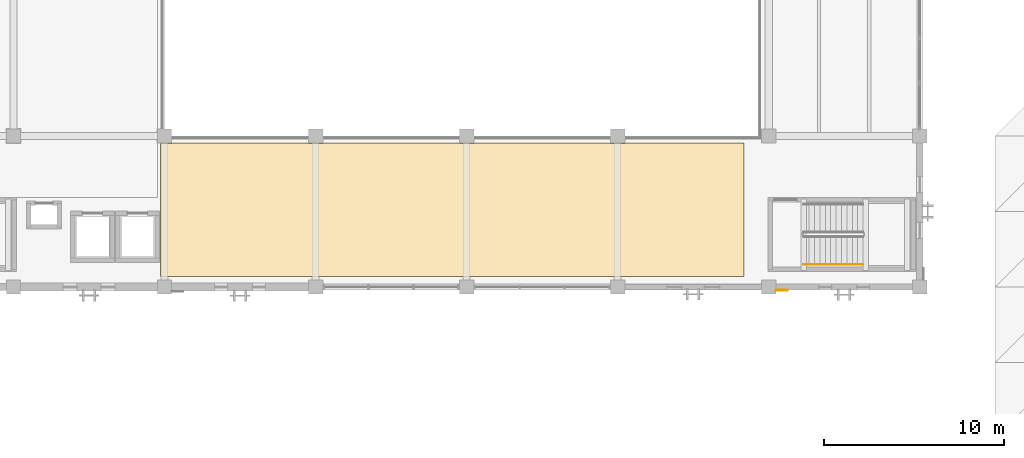
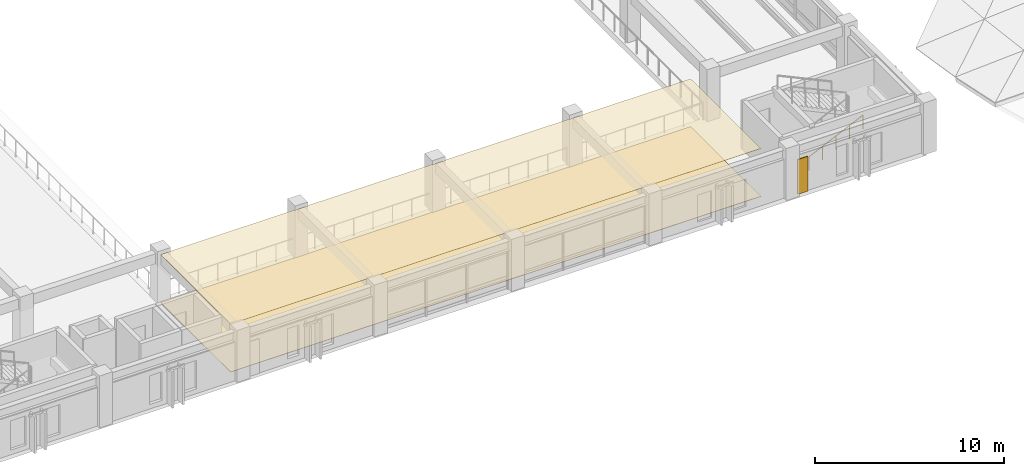
# One storey, part 103 of 123: 3 coverings, 1 railing.
"""IFC4 building model written with IfcOpenShell, lengths in metres."""

from ifc_helpers import new_model, si_unit, direction, frame, origin, origin_2d, place, context, subcontext, project, spatial, polyline, circle, outline, extrude, material, layer, layer_set, type_object, element, save


model = new_model("IFC4")

# Units and contexts
model_context = context("Model", 3, precision=1e-05, world=origin(), true_north=direction((0.0, 1.0)))
body_context = subcontext(model_context, "Body", "Model", "MODEL_VIEW")
ifc_project = project(units=[si_unit("LENGTHUNIT", "METRE"), si_unit("AREAUNIT", "SQUARE_METRE"), si_unit("VOLUMEUNIT", "CUBIC_METRE"), si_unit("PLANEANGLEUNIT", "RADIAN"), si_unit("MASSUNIT", "GRAM", prefix="KILO")], contexts=[model_context])

# Site, building, storey
site_placement = place(None, origin())
site = spatial("IfcSite", under=ifc_project, at=site_placement, CompositionType="ELEMENT")
building_placement = place(site_placement, origin())
building = spatial("IfcBuilding", under=site, at=building_placement, Name="Cumbredor Promenade Congress Hotel", CompositionType="ELEMENT")
storey_placement = place(building_placement, frame((0.0, 0.0, 11.760009765625)))
storey = spatial("IfcBuildingStorey", under=building, at=storey_placement, Name="L03", CompositionType="ELEMENT", Elevation=11.760009765625)

# Coverings
ifc_material_1 = material(Name="Acoustic mineral-fiber and gypsum ceiling")
ifc_layer_1 = layer(ifc_material_1, 0.02197265625, Name="Acoustic mineral-fiber and gypsum ceiling")
ifc_layer_set_1 = layer_set([ifc_layer_1], Name="Acoustic mineral-fiber and gypsum ceiling")
covering_type_1 = type_object("IfcCoveringType", Name="Acoustic Perforated Gypsum Ceiling CLG-02 22mm", PredefinedType="CEILING", material=ifc_layer_set_1)
covering_1_placement = place(storey_placement, frame((0.0, 0.0, 3.097900390625)))
element("IfcCovering", 1, at=covering_1_placement, inside=storey, type_object=covering_type_1, Name="L03 Plenary South Concourse Corridor Acoustic Ceiling", PredefinedType="CEILING", context=body_context, shape_type="SweptSolid", body=[
    extrude(outline(polyline([(25.60498046875, 16.39501953125), (25.60498046875, 16.419921875), (33.195068359375, 16.419921875), (33.195068359375, 16.39501953125), (34.0048828125, 16.39501953125), (34.0048828125, 16.419921875), (41.594970703125, 16.419921875), (41.594970703125, 16.39501953125), (42.405029296875, 16.39501953125), (42.405029296875, 16.419921875), (49.9951171875, 16.419921875), (49.9951171875, 16.39501953125), (50.804931640625, 16.39501953125), (50.804931640625, 16.419921875), (57.419921875, 16.419921875), (57.419921875, 8.97998046875), (24.97998046875, 8.97998046875), (24.97998046875, 16.39501953125), (25.60498046875, 16.39501953125)])), origin(), (0.0, 0.0, 1.0), 0.02197265625),
])
ifc_material_2 = material(Name="Precast concrete C40/50", Category="concrete")
ifc_layer_2 = layer(ifc_material_2, 0.044921875, Name="Precast concrete C40/50", Category="concrete")
ifc_layer_set_2 = layer_set([ifc_layer_2], Name="Precast concrete C40/50")
covering_type_2 = type_object("IfcCoveringType", Name="Board-Formed Architectural Cladding Panel 45mm", PredefinedType="CLADDING", material=ifc_layer_set_2)
covering_2_placement = place(storey_placement, origin())
element("IfcCovering", 2, at=covering_2_placement, inside=storey, type_object=covering_type_2, Name="L03 Facade Stone Cladding Pier 134", PredefinedType="CLADDING", context=body_context, shape_type="SweptSolid", body=[
    extrude(outline(polyline([(59.200927734375, 8.237548828125), (59.85107421875, 8.237548828125), (59.85107421875, 8.1923828125), (59.200927734375, 8.1923828125), (59.200927734375, 8.237548828125)])), origin(), (0.0, 0.0, 1.0), 2.25),
])
ifc_material_3 = material(Name="Porcelain stoneware tile", Category="masonry")
ifc_layer_3 = layer(ifc_material_3, 0.02490234375, Name="Porcelain stoneware tile", Category="masonry")
ifc_layer_set_3 = layer_set([ifc_layer_3], Name="Porcelain stoneware tile")
covering_type_3 = type_object("IfcCoveringType", Name="Porcelain Stoneware Flooring FLR-02 25mm", PredefinedType="FLOORING", material=ifc_layer_set_3)
covering_3_placement = place(storey_placement, origin())
element("IfcCovering", 3, at=covering_3_placement, inside=storey, type_object=covering_type_3, Name="L03 Plenary South Concourse Corridor Porcelain Flooring", PredefinedType="FLOORING", context=body_context, shape_type="SweptSolid", body=[
    extrude(outline(polyline([(25.60498046875, 16.39501953125), (25.60498046875, 16.419921875), (33.195068359375, 16.419921875), (33.195068359375, 16.39501953125), (34.0048828125, 16.39501953125), (34.0048828125, 16.419921875), (41.594970703125, 16.419921875), (41.594970703125, 16.39501953125), (42.405029296875, 16.39501953125), (42.405029296875, 16.419921875), (49.9951171875, 16.419921875), (49.9951171875, 16.39501953125), (50.804931640625, 16.39501953125), (50.804931640625, 16.419921875), (57.419921875, 16.419921875), (57.419921875, 8.97998046875), (24.97998046875, 8.97998046875), (24.97998046875, 16.39501953125), (25.60498046875, 16.39501953125)])), origin(), (0.0, 0.0, 1.0), 0.02490234375),
])

# Railing
ifc_material_4 = material(Name="Brushed stainless steel", Category="steel")
railing_type = type_object("IfcRailingType", Name="Stair Pitch Handrail HR-900", PredefinedType="HANDRAIL", material=ifc_material_4)
railing_placement = place(storey_placement, frame((60.75, 9.64990234375, 0.139892578125)))
element("IfcRailing", 4, at=railing_placement, inside=storey, type_object=railing_type, Name="L03 ST-05 stair handrail 1", PredefinedType="HANDRAIL", context=body_context, shape_type="SweptSolid", body=[
    extrude(circle(Radius=0.02392578125, at=origin_2d()), frame((0.0, 0.0, 0.8759765625), z_axis=(0.906181427284, 0.0, 0.422889135408), x_axis=(0.0, 1.0, 0.0)), (0.0, 0.0, 1.0), 3.6416015625),
    extrude(circle(Radius=0.02099609375, at=origin_2d()), origin(), (0.0, 0.0, 1.0), 0.851806640625),
    extrude(circle(Radius=0.02099609375, at=origin_2d()), frame((0.824951171875, 0.0, 0.385009765625)), (0.0, 0.0, 1.0), 0.851806640625),
    extrude(circle(Radius=0.02099609375, at=origin_2d()), frame((1.64990234375, 0.0, 0.77001953125)), (0.0, 0.0, 1.0), 0.851806640625),
    extrude(circle(Radius=0.02099609375, at=origin_2d()), frame((2.47509765625, 0.0, 1.155029296875)), (0.0, 0.0, 1.0), 0.851806640625),
    extrude(circle(Radius=0.02099609375, at=origin_2d()), frame((3.300048828125, 0.0, 1.5400390625)), (0.0, 0.0, 1.0), 0.851806640625),
])

save(model, "model.ifc")
